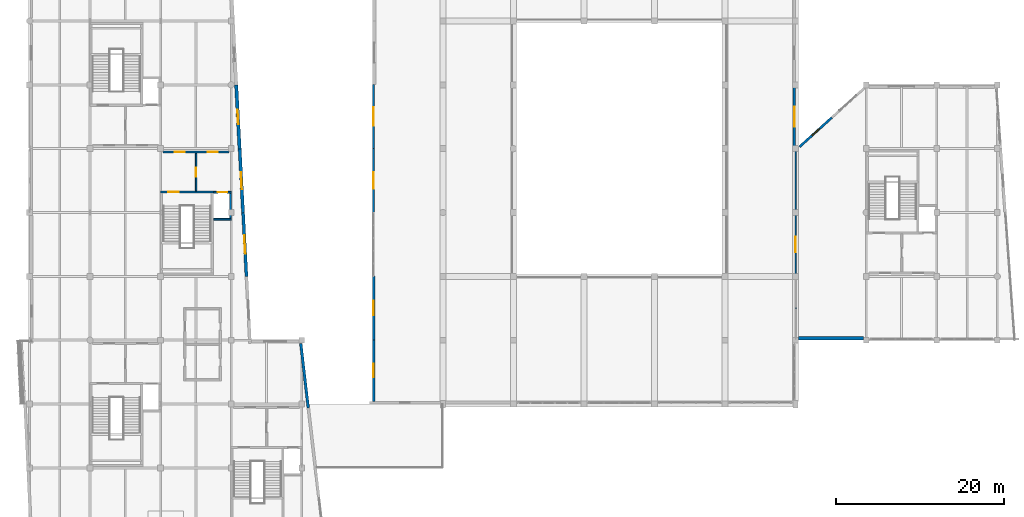
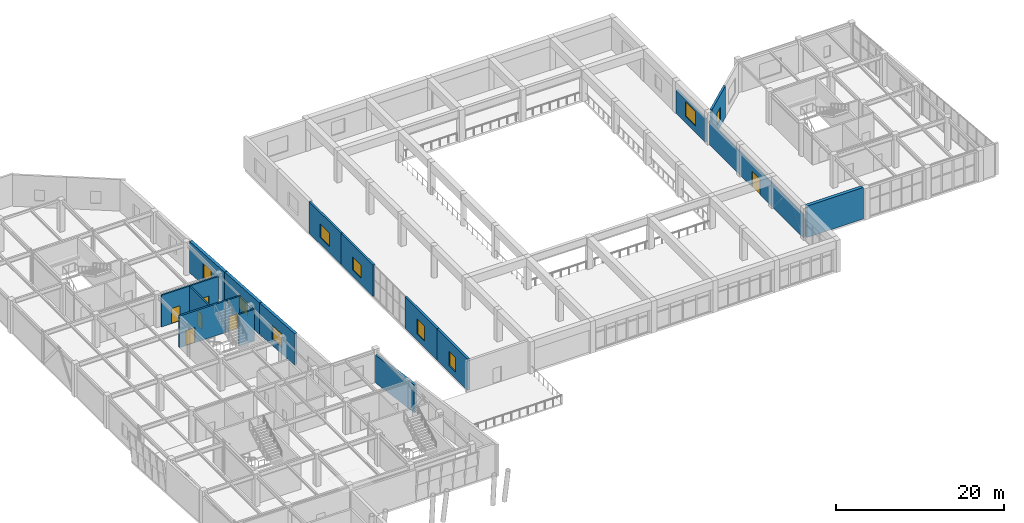
# One storey, part 63 of 72: 18 walls, 9 windows, 6 doors, 15 openings.
"""IFC4 building model written with IfcOpenShell, lengths in metres."""

from ifc_helpers import new_model, si_unit, direction, frame, frame_2d, origin, place, context, subcontext, project, spatial, rectangle, extrude, material, layer, layer_set, type_object, element, fill, save


model = new_model("IFC4")

# Units and contexts
model_context = context("Model", 3, precision=1e-05, world=origin(), true_north=direction((0.0, 1.0)))
body_context = subcontext(model_context, "Body", "Model", "MODEL_VIEW")
ifc_project = project(units=[si_unit("LENGTHUNIT", "METRE"), si_unit("AREAUNIT", "SQUARE_METRE"), si_unit("VOLUMEUNIT", "CUBIC_METRE"), si_unit("PLANEANGLEUNIT", "RADIAN"), si_unit("MASSUNIT", "GRAM", prefix="KILO")], contexts=[model_context])

# Site, building, storey
site_placement = place(None, origin())
site = spatial("IfcSite", under=ifc_project, at=site_placement, CompositionType="ELEMENT")
building_placement = place(site_placement, origin())
building = spatial("IfcBuilding", under=site, at=building_placement, Name="Xicomal Pleat Aquarium", CompositionType="ELEMENT")
storey_placement = place(building_placement, frame((0.0, 0.0, 10.5)))
storey = spatial("IfcBuildingStorey", under=building, at=storey_placement, Name="L03", CompositionType="ELEMENT", Elevation=10.5)

# Wall
ifc_material_1 = material(Name="Concrete C40/50", Category="concrete")
ifc_layer_1 = layer(ifc_material_1, 0.219970703125)
ifc_layer_set_1 = layer_set([ifc_layer_1], Name="Concrete C40/50")
wall_type_1 = type_object("IfcWallType", Name="WAL-COR-220", PredefinedType="SHEAR", material=ifc_layer_set_1)
wall_1_placement = place(storey_placement, frame((24.89990234375, 52.389892578125, 0.0), z_axis=(0.0, 0.0, 1.0), x_axis=(1.0, 0.0, 0.0)))
element("IfcWall", 1, at=wall_1_placement, inside=storey, type_object=wall_type_1, Name="L03 LF-04 lift shaft wall CW-L03-C4-LS", PredefinedType="SHEAR", context=body_context, shape_type="SweptSolid", body=[
    extrude(rectangle(XDim=2.1201171875, YDim=0.219970703125, at=frame_2d((1.06005859375, 0.0))), origin(), (0.0, 0.0, 1.0), 4.590087890625),
])

# Wall, opening, door
wall_2_placement = place(storey_placement, frame((24.89990234375, 55.610107421875, 0.0), z_axis=(0.0, 0.0, 1.0), x_axis=(1.0, 0.0, 0.0)))
wall_2 = element("IfcWall", 2, at=wall_2_placement, inside=storey, type_object=wall_type_1, Name="L03 LF-04 lift shaft wall CW-L03-C4-LN", PredefinedType="SHEAR", context=body_context, shape_type="SweptSolid", body=[
    extrude(rectangle(XDim=2.1201171875, YDim=0.219970703125, at=frame_2d((1.06005859375, 0.0))), origin(), (0.0, 0.0, 1.0), 4.590087890625),
])
opening_1_placement = place(wall_2_placement, frame((0.510009765625, 0.0, 0.0)))
opening_1 = element("IfcOpeningElement", 3, at=opening_1_placement, cuts=wall_2, Name="Opening LD-04-L03", PredefinedType="OPENING", context=body_context, shape_type="SweptSolid", body=[
    extrude(rectangle(XDim=1.10009765625, YDim=2.14990234375, at=frame_2d((0.550048828125, 1.074951171875))), frame((0.0, 0.119873046875, 0.0), z_axis=(0.0, -1.0, 0.0), x_axis=(1.0, 0.0, 0.0)), (0.0, 0.0, 1.0), 0.239990234375),
])
ifc_material_2 = material(Name="Brushed stainless steel 304", Category="steel")
door_type_1 = type_object("IfcDoorType", Name="DOR-LD-1100x2150", OperationType="DOUBLE_DOOR_SLIDING", PredefinedType="DOOR", material=ifc_material_2)
door_1_placement = place(opening_1_placement, origin())
door_1 = element("IfcDoor", 4, at=door_1_placement, inside=storey, type_object=door_type_1, Name="L03 LF-04 sliding lift landing door", OperationType="DOUBLE_DOOR_SLIDING", OverallHeight=2.14990234375, OverallWidth=1.10009765625, PredefinedType="DOOR", context=body_context, shape_type="SweptSolid", body=[
    extrude(rectangle(XDim=1.10009765625, YDim=2.14990234375, at=frame_2d((0.550048828125, 1.074951171875))), frame((0.0, 0.02490234375, 0.0), z_axis=(0.0, -1.0, 0.0), x_axis=(1.0, 0.0, 0.0)), (0.0, 0.0, 1.0), 0.050048828125),
])
fill(opening_1, door_1)

# Wall
wall_3_placement = place(storey_placement, frame((26.909912109375, 52.5, 0.0), z_axis=(0.0, 0.0, 1.0), x_axis=(0.0, 1.0, 0.0)))
element("IfcWall", 5, at=wall_3_placement, inside=storey, type_object=wall_type_1, Name="L03 LF-04 lift shaft wall CW-L03-C4-LE", PredefinedType="SHEAR", context=body_context, shape_type="SweptSolid", body=[
    extrude(rectangle(XDim=3.0, YDim=0.219970703125, at=frame_2d((1.5, 0.0))), origin(), (0.0, 0.0, 1.0), 4.590087890625),
])

# Wall, opening, door
ifc_material_3 = material(Name="Concrete C40/50", Category="concrete")
ifc_layer_2 = layer(ifc_material_3, 0.25)
ifc_layer_set_2 = layer_set([ifc_layer_2], Name="Concrete C40/50")
wall_type_2 = type_object("IfcWallType", Name="WAL-COR-250", PredefinedType="SHEAR", material=ifc_layer_set_2)
wall_4_placement = place(storey_placement, frame((18.590087890625, 55.625, 0.0), z_axis=(0.0, 0.0, 1.0), x_axis=(1.0, 0.0, 0.0)))
wall_4 = element("IfcWall", 6, at=wall_4_placement, inside=storey, type_object=wall_type_2, Name="L03 CORE-4 stair shear wall CW-L03-C4-SN", PredefinedType="SHEAR", context=body_context, shape_type="SweptSolid", body=[
    extrude(rectangle(XDim=6.280029296875, YDim=0.25, at=frame_2d((3.14013671875, 0.0))), origin(), (0.0, 0.0, 1.0), 4.590087890625),
])
opening_2_placement = place(wall_4_placement, frame((0.89990234375, 0.0, 0.0)))
opening_2 = element("IfcOpeningElement", 7, at=opening_2_placement, cuts=wall_4, Name="Opening SD-04-L03", PredefinedType="OPENING", context=body_context, shape_type="SweptSolid", body=[
    extrude(rectangle(XDim=1.25, YDim=2.199951171875, at=frame_2d((0.625, 1.10009765625))), frame((0.0, 0.135009765625, 0.0), z_axis=(0.0, -1.0, 0.0), x_axis=(1.0, 0.0, 0.0)), (0.0, 0.0, 1.0), 0.27001953125),
])
ifc_material_4 = material(Name="Powder-coated steel fire door", Category="steel")
door_type_2 = type_object("IfcDoorType", Name="DOR-ST-1250x2200", OperationType="NOTDEFINED", PredefinedType="DOOR", material=ifc_material_4)
door_2_placement = place(opening_2_placement, origin())
door_2 = element("IfcDoor", 8, at=door_2_placement, inside=storey, type_object=door_type_2, Name="L03 ST-04 protected stair door", OperationType="SINGLE_SWING_LEFT", OverallHeight=2.199951171875, OverallWidth=1.25, PredefinedType="DOOR", context=body_context, shape_type="SweptSolid", body=[
    extrude(rectangle(XDim=1.25, YDim=2.199951171875, at=frame_2d((0.625, 1.10009765625))), frame((0.0, 0.02490234375, 0.0), z_axis=(0.0, -1.0, 0.0), x_axis=(1.0, 0.0, 0.0)), (0.0, 0.0, 1.0), 0.050048828125),
])
fill(opening_2, door_2)

# Wall, opening, window
ifc_material_5 = material(Name="Volcanic basalt recinto masonry and concrete C40/50", Category="masonry")
ifc_layer_3 = layer(ifc_material_5, 0.364990234375)
ifc_layer_set_3 = layer_set([ifc_layer_3], Name="Volcanic basalt recinto masonry and concrete C40/50")
wall_type_3 = type_object("IfcWallType", Name="WAL-EXT-BAS-365", PredefinedType="SOLIDWALL", material=ifc_layer_set_3)
wall_5_placement = place(storey_placement, frame((28.4189453125, 53.169921875, 0.0), z_axis=(0.0, 0.0, 1.0), x_axis=(0.052579038163, -0.998616765704, 0.0)))
wall_5 = element("IfcWall", 9, at=wall_5_placement, inside=storey, type_object=wall_type_3, Name="L03 exterior basalt-precast wall EW-L03-079", PredefinedType="SOLIDWALL", context=body_context, shape_type="SweptSolid", body=[
    extrude(rectangle(XDim=7.6103515625, YDim=0.364990234375, at=frame_2d((3.80517578125, 0.0))), origin(), (0.0, 0.0, 1.0), 4.56005859375),
])
opening_3_placement = place(wall_5_placement, frame((2.705078125, 0.0, 0.949951171875)))
opening_3 = element("IfcOpeningElement", 10, at=opening_3_placement, cuts=wall_5, Name="Opening WN-21", PredefinedType="OPENING", context=body_context, shape_type="SweptSolid", body=[
    extrude(rectangle(XDim=2.199951171875, YDim=1.949951171875, at=frame_2d((1.10009765625, 0.97509765625))), frame((0.0, 0.1923828125, 0.0), z_axis=(0.0, -1.0, 0.0), x_axis=(1.0, 0.0, 0.0)), (0.0, 0.0, 1.0), 0.385009765625),
])
ifc_material_6 = material(Name="Insulated low-E laminated glass", Category="glass")
window_type_1 = type_object("IfcWindowType", Name="WIN-EXT-2200x1950", PartitioningType="DOUBLE_PANEL_VERTICAL", PredefinedType="WINDOW", material=ifc_material_6)
window_1_placement = place(opening_3_placement, origin())
window_1 = element("IfcWindow", 11, at=window_1_placement, inside=storey, type_object=window_type_1, Name="L03 thermally broken low-E window 45", OverallHeight=1.949951171875, OverallWidth=2.199951171875, PartitioningType="SINGLE_PANEL", PredefinedType="WINDOW", context=body_context, shape_type="SweptSolid", body=[
    extrude(rectangle(XDim=2.199951171875, YDim=1.949951171875, at=frame_2d((1.10009765625, 0.97509765625))), frame((0.0, 0.030029296875, 0.0), z_axis=(0.0, -1.0, 0.0), x_axis=(1.0, 0.0, 0.0)), (0.0, 0.0, 1.0), 0.06005859375),
])
fill(opening_3, window_1)

ifc_material_7 = material(Name="Volcanic basalt recinto masonry and concrete C40/50", Category="masonry")
ifc_layer_4 = layer(ifc_material_7, 0.3798828125)
ifc_layer_set_4 = layer_set([ifc_layer_4], Name="Volcanic basalt recinto masonry and concrete C40/50")
wall_type_4 = type_object("IfcWallType", Name="WAL-EXT-BAS-380", PredefinedType="SOLIDWALL", material=ifc_layer_set_4)
wall_6_placement = place(storey_placement, frame((28.010986328125, 60.77099609375, 0.0), z_axis=(0.0, 0.0, 1.0), x_axis=(0.052538631262, -0.998618892383, 0.0)))
wall_6 = element("IfcWall", 12, at=wall_6_placement, inside=storey, type_object=wall_type_4, Name="L03 exterior basalt-precast wall EW-L03-078", PredefinedType="SOLIDWALL", context=body_context, shape_type="SweptSolid", body=[
    extrude(rectangle(XDim=7.611572265625, YDim=0.3798828125, at=frame_2d((3.8056640625, 0.0))), origin(), (0.0, 0.0, 1.0), 4.56005859375),
])
opening_4_placement = place(wall_6_placement, frame((2.805908203125, 0.0, 0.949951171875)))
opening_4 = element("IfcOpeningElement", 13, at=opening_4_placement, cuts=wall_6, Name="Opening WN-20", PredefinedType="OPENING", context=body_context, shape_type="SweptSolid", body=[
    extrude(rectangle(XDim=2.0, YDim=1.85009765625, at=frame_2d((1.0, 0.925048828125))), frame((0.0, 0.199951171875, 0.0), z_axis=(0.0, -1.0, 0.0), x_axis=(1.0, 0.0, 0.0)), (0.0, 0.0, 1.0), 0.39990234375),
])
ifc_material_8 = material(Name="Insulated low-E laminated glass", Category="glass")
window_type_2 = type_object("IfcWindowType", Name="WIN-EXT-2000x1850", PartitioningType="DOUBLE_PANEL_VERTICAL", PredefinedType="WINDOW", material=ifc_material_8)
window_2_placement = place(opening_4_placement, origin())
window_2 = element("IfcWindow", 14, at=window_2_placement, inside=storey, type_object=window_type_2, Name="L03 thermally broken low-E window 44", OverallHeight=1.85009765625, OverallWidth=2.0, PartitioningType="SINGLE_PANEL", PredefinedType="WINDOW", context=body_context, shape_type="SweptSolid", body=[
    extrude(rectangle(XDim=2.0, YDim=1.85009765625, at=frame_2d((1.0, 0.925048828125))), frame((0.0, 0.030029296875, 0.0), z_axis=(0.0, -1.0, 0.0), x_axis=(1.0, 0.0, 0.0)), (0.0, 0.0, 1.0), 0.06005859375),
])
fill(opening_4, window_2)

ifc_material_9 = material(Name="Volcanic basalt recinto masonry and concrete C40/50", Category="masonry")
ifc_layer_5 = layer(ifc_material_9, 0.39990234375)
ifc_layer_set_5 = layer_set([ifc_layer_5], Name="Volcanic basalt recinto masonry and concrete C40/50")
wall_type_5 = type_object("IfcWallType", Name="WAL-EXT-BAS-400", PredefinedType="SOLIDWALL", material=ifc_layer_set_5)
wall_7_placement = place(storey_placement, frame((27.60107421875, 68.3701171875, 0.0), z_axis=(0.0, 0.0, 1.0), x_axis=(0.052545363492, -0.998618538169, 0.0)))
wall_7 = element("IfcWall", 15, at=wall_7_placement, inside=storey, type_object=wall_type_5, Name="L03 exterior basalt-precast wall EW-L03-077", PredefinedType="SOLIDWALL", context=body_context, shape_type="SweptSolid", body=[
    extrude(rectangle(XDim=7.610595703125, YDim=0.39990234375, at=frame_2d((3.80517578125, 0.0))), origin(), (0.0, 0.0, 1.0), 4.56005859375),
])
opening_5_placement = place(wall_7_placement, frame((2.929931640625, 0.0, 0.949951171875)))
opening_5 = element("IfcOpeningElement", 16, at=opening_5_placement, cuts=wall_7, Name="Opening WN-19", PredefinedType="OPENING", context=body_context, shape_type="SweptSolid", body=[
    extrude(rectangle(XDim=1.75, YDim=2.14990234375, at=frame_2d((0.875, 1.074951171875))), frame((0.0, 0.2099609375, 0.0), z_axis=(0.0, -1.0, 0.0), x_axis=(1.0, 0.0, 0.0)), (0.0, 0.0, 1.0), 0.419921875),
])
ifc_material_10 = material(Name="Insulated low-E laminated glass", Category="glass")
window_type_3 = type_object("IfcWindowType", Name="WIN-EXT-1750x2150", PartitioningType="SINGLE_PANEL", PredefinedType="WINDOW", material=ifc_material_10)
window_3_placement = place(opening_5_placement, origin())
window_3 = element("IfcWindow", 17, at=window_3_placement, inside=storey, type_object=window_type_3, Name="L03 thermally broken low-E window 43", OverallHeight=2.14990234375, OverallWidth=1.75, PartitioningType="SINGLE_PANEL", PredefinedType="WINDOW", context=body_context, shape_type="SweptSolid", body=[
    extrude(rectangle(XDim=1.75, YDim=2.14990234375, at=frame_2d((0.875, 1.074951171875))), frame((0.0, 0.030029296875, 0.0), z_axis=(0.0, -1.0, 0.0), x_axis=(1.0, 0.0, 0.0)), (0.0, 0.0, 1.0), 0.06005859375),
])
fill(opening_5, window_3)

# Wall
ifc_material_11 = material(Name="Volcanic basalt recinto masonry and concrete C40/50", Category="masonry")
ifc_layer_6 = layer(ifc_material_11, 0.445068359375)
ifc_layer_set_6 = layer_set([ifc_layer_6], Name="Volcanic basalt recinto masonry and concrete C40/50")
wall_type_6 = type_object("IfcWallType", Name="WAL-EXT-BAS-445", PredefinedType="SOLIDWALL", material=ifc_layer_set_6)
wall_8_placement = place(storey_placement, frame((102.264892578125, 38.221923828125, 0.0), z_axis=(0.0, 0.0, 1.0), x_axis=(-1.0, 0.0, 0.0)))
element("IfcWall", 18, at=wall_8_placement, inside=storey, type_object=wall_type_6, Name="L03 exterior basalt-precast wall EW-L03-036", PredefinedType="SOLIDWALL", context=body_context, shape_type="SweptSolid", body=[
    extrude(rectangle(XDim=7.72998046875, YDim=0.445068359375, at=frame_2d((3.864990234375, 0.0))), origin(), (0.0, 0.0, 1.0), 4.56005859375),
])

# Wall, opening, window
ifc_material_12 = material(Name="Precast concrete C40/50", Category="concrete")
ifc_layer_7 = layer(ifc_material_12, 0.260009765625)
ifc_layer_set_7 = layer_set([ifc_layer_7], Name="Precast concrete C40/50")
wall_type_7 = type_object("IfcWallType", Name="WAL-EXT-PRC-260", PredefinedType="SOLIDWALL", material=ifc_layer_set_7)
wall_9_placement = place(storey_placement, frame((43.929931640625, 60.820068359375, 0.0), z_axis=(0.0, 0.0, 1.0), x_axis=(0.0, 1.0, 0.0)))
wall_9 = element("IfcWall", 19, at=wall_9_placement, inside=storey, type_object=wall_type_7, Name="L03 exterior basalt-precast wall EW-L03-048", PredefinedType="SOLIDWALL", context=body_context, shape_type="SweptSolid", body=[
    extrude(rectangle(XDim=7.599853515625, YDim=0.260009765625, at=frame_2d((3.7998046875, 0.0))), origin(), (0.0, 0.0, 1.0), 4.56005859375),
])
opening_6_placement = place(wall_9_placement, frame((2.699951171875, 0.0, 0.949951171875)))
opening_6 = element("IfcOpeningElement", 20, at=opening_6_placement, cuts=wall_9, Name="Opening WN-21", PredefinedType="OPENING", context=body_context, shape_type="SweptSolid", body=[
    extrude(rectangle(XDim=2.199951171875, YDim=1.949951171875, at=frame_2d((1.10009765625, 0.97509765625))), frame((0.0, 0.139892578125, 0.0), z_axis=(0.0, -1.0, 0.0), x_axis=(1.0, 0.0, 0.0)), (0.0, 0.0, 1.0), 0.280029296875),
])
window_4_placement = place(opening_6_placement, origin())
window_4 = element("IfcWindow", 21, at=window_4_placement, inside=storey, type_object=window_type_1, Name="L03 thermally broken low-E window 21", OverallHeight=1.949951171875, OverallWidth=2.199951171875, PartitioningType="SINGLE_PANEL", PredefinedType="WINDOW", context=body_context, shape_type="SweptSolid", body=[
    extrude(rectangle(XDim=2.199951171875, YDim=1.949951171875, at=frame_2d((1.10009765625, 0.97509765625))), frame((0.0, 0.030029296875, 0.0), z_axis=(0.0, -1.0, 0.0), x_axis=(1.0, 0.0, 0.0)), (0.0, 0.0, 1.0), 0.06005859375),
])
fill(opening_6, window_4)

ifc_material_13 = material(Name="Precast concrete C40/50", Category="concrete")
ifc_layer_8 = layer(ifc_material_13, 0.280029296875)
ifc_layer_set_8 = layer_set([ifc_layer_8], Name="Precast concrete C40/50")
wall_type_8 = type_object("IfcWallType", Name="WAL-EXT-PRC-280", PredefinedType="SOLIDWALL", material=ifc_layer_set_8)
wall_10_placement = place(storey_placement, frame((43.93994140625, 53.179931640625, 0.0), z_axis=(0.0, 0.0, 1.0), x_axis=(0.0, 1.0, 0.0)))
wall_10 = element("IfcWall", 22, at=wall_10_placement, inside=storey, type_object=wall_type_8, Name="L03 exterior basalt-precast wall EW-L03-047", PredefinedType="SOLIDWALL", context=body_context, shape_type="SweptSolid", body=[
    extrude(rectangle(XDim=7.64013671875, YDim=0.280029296875, at=frame_2d((3.820068359375, 0.0))), origin(), (0.0, 0.0, 1.0), 4.56005859375),
])
opening_7_placement = place(wall_10_placement, frame((2.820068359375, 0.0, 0.949951171875)))
opening_7 = element("IfcOpeningElement", 23, at=opening_7_placement, cuts=wall_10, Name="Opening WN-20", PredefinedType="OPENING", context=body_context, shape_type="SweptSolid", body=[
    extrude(rectangle(XDim=2.0, YDim=1.85009765625, at=frame_2d((1.0, 0.925048828125))), frame((0.0, 0.14990234375, 0.0), z_axis=(0.0, -1.0, 0.0), x_axis=(1.0, 0.0, 0.0)), (0.0, 0.0, 1.0), 0.300048828125),
])
window_5_placement = place(opening_7_placement, origin())
window_5 = element("IfcWindow", 24, at=window_5_placement, inside=storey, type_object=window_type_2, Name="L03 thermally broken low-E window 20", OverallHeight=1.85009765625, OverallWidth=2.0, PartitioningType="SINGLE_PANEL", PredefinedType="WINDOW", context=body_context, shape_type="SweptSolid", body=[
    extrude(rectangle(XDim=2.0, YDim=1.85009765625, at=frame_2d((1.0, 0.925048828125))), frame((0.0, 0.030029296875, 0.0), z_axis=(0.0, -1.0, 0.0), x_axis=(1.0, 0.0, 0.0)), (0.0, 0.0, 1.0), 0.06005859375),
])
fill(opening_7, window_5)

wall_11_placement = place(storey_placement, frame((94.64892578125, 61.01806640625, 0.0), z_axis=(0.0, 0.0, 1.0), x_axis=(0.74158689096, 0.670856827614, 0.0)))
wall_11 = element("IfcWall", 25, at=wall_11_placement, inside=storey, type_object=wall_type_8, Name="L03 exterior basalt-precast wall EW-L03-060", PredefinedType="SOLIDWALL", context=body_context, shape_type="SweptSolid", body=[
    extrude(rectangle(XDim=5.205078125, YDim=0.280029296875, at=frame_2d((2.6025390625, 0.0))), origin(), (0.0, 0.0, 1.0), 4.56005859375),
])
opening_8_placement = place(wall_11_placement, frame((2.0029296875, 0.0, 0.949951171875)))
opening_8 = element("IfcOpeningElement", 26, at=opening_8_placement, cuts=wall_11, Name="Opening WN-01", PredefinedType="OPENING", context=body_context, shape_type="SweptSolid", body=[
    extrude(rectangle(XDim=1.199951171875, YDim=1.800048828125, at=frame_2d((0.60009765625, 0.89990234375))), frame((0.0, 0.14990234375, 0.0), z_axis=(0.0, -1.0, 0.0), x_axis=(1.0, 0.0, 0.0)), (0.0, 0.0, 1.0), 0.300048828125),
])
ifc_material_14 = material(Name="Insulated low-E laminated glass", Category="glass")
window_type_4 = type_object("IfcWindowType", Name="WIN-EXT-1200x1800", PartitioningType="SINGLE_PANEL", PredefinedType="WINDOW", material=ifc_material_14)
window_6_placement = place(opening_8_placement, origin())
window_6 = element("IfcWindow", 27, at=window_6_placement, inside=storey, type_object=window_type_4, Name="L03 thermally broken low-E window 29", OverallHeight=1.800048828125, OverallWidth=1.199951171875, PartitioningType="SINGLE_PANEL", PredefinedType="WINDOW", context=body_context, shape_type="SweptSolid", body=[
    extrude(rectangle(XDim=1.199951171875, YDim=1.800048828125, at=frame_2d((0.60009765625, 0.89990234375))), frame((0.0, 0.030029296875, 0.0), z_axis=(0.0, -1.0, 0.0), x_axis=(1.0, 0.0, 0.0)), (0.0, 0.0, 1.0), 0.06005859375),
])
fill(opening_8, window_6)

ifc_material_15 = material(Name="Precast concrete C40/50", Category="concrete")
ifc_layer_9 = layer(ifc_material_15, 0.2900390625)
ifc_layer_set_9 = layer_set([ifc_layer_9], Name="Precast concrete C40/50")
wall_type_9 = type_object("IfcWallType", Name="WAL-EXT-PRC-290", PredefinedType="SOLIDWALL", material=ifc_layer_set_9)
wall_12_placement = place(storey_placement, frame((94.054931640625, 68.06494140625, 0.0), z_axis=(0.0, 0.0, 1.0), x_axis=(0.0, -1.0, 0.0)))
wall_12 = element("IfcWall", 28, at=wall_12_placement, inside=storey, type_object=wall_type_9, Name="L03 exterior basalt-precast wall EW-L03-059", PredefinedType="SOLIDWALL", context=body_context, shape_type="SweptSolid", body=[
    extrude(rectangle(XDim=6.929931640625, YDim=0.2900390625, at=frame_2d((3.46484375, 0.0))), origin(), (0.0, 0.0, 1.0), 3.389892578125),
])
opening_9_placement = place(wall_12_placement, frame((2.264892578125, 0.0, 0.949951171875)))
opening_9 = element("IfcOpeningElement", 29, at=opening_9_placement, cuts=wall_12, Name="Opening WN-05", PredefinedType="OPENING", context=body_context, shape_type="SweptSolid", body=[
    extrude(rectangle(XDim=2.39990234375, YDim=2.10009765625, at=frame_2d((1.199951171875, 1.050048828125))), frame((0.0, 0.155029296875, 0.0), z_axis=(0.0, -1.0, 0.0), x_axis=(1.0, 0.0, 0.0)), (0.0, 0.0, 1.0), 0.31005859375),
])
ifc_material_16 = material(Name="Insulated low-E laminated glass", Category="glass")
window_type_5 = type_object("IfcWindowType", Name="WIN-EXT-2400x2100", PartitioningType="DOUBLE_PANEL_VERTICAL", PredefinedType="WINDOW", material=ifc_material_16)
window_7_placement = place(opening_9_placement, origin())
window_7 = element("IfcWindow", 30, at=window_7_placement, inside=storey, type_object=window_type_5, Name="L03 thermally broken low-E window 28", OverallHeight=2.10009765625, OverallWidth=2.39990234375, PartitioningType="SINGLE_PANEL", PredefinedType="WINDOW", context=body_context, shape_type="SweptSolid", body=[
    extrude(rectangle(XDim=2.39990234375, YDim=2.10009765625, at=frame_2d((1.199951171875, 1.050048828125))), frame((0.0, 0.030029296875, 0.0), z_axis=(0.0, -1.0, 0.0), x_axis=(1.0, 0.0, 0.0)), (0.0, 0.0, 1.0), 0.06005859375),
])
fill(opening_9, window_7)

ifc_material_17 = material(Name="Precast concrete C40/50", Category="concrete")
ifc_layer_10 = layer(ifc_material_17, 0.300048828125)
ifc_layer_set_10 = layer_set([ifc_layer_10], Name="Precast concrete C40/50")
wall_type_10 = type_object("IfcWallType", Name="WAL-EXT-PRC-300", PredefinedType="SOLIDWALL", material=ifc_layer_set_10)
wall_13_placement = place(storey_placement, frame((43.949951171875, 38.02001953125, 0.0), z_axis=(0.0, 0.0, 1.0), x_axis=(0.0, 1.0, 0.0)))
wall_13 = element("IfcWall", 31, at=wall_13_placement, inside=storey, type_object=wall_type_10, Name="L03 exterior basalt-precast wall EW-L03-045", PredefinedType="SOLIDWALL", context=body_context, shape_type="SweptSolid", body=[
    extrude(rectangle(XDim=7.60009765625, YDim=0.300048828125, at=frame_2d((3.800048828125, 0.0))), origin(), (0.0, 0.0, 1.0), 4.56005859375),
])
opening_10_placement = place(wall_13_placement, frame((2.925048828125, 0.0, 0.949951171875)))
opening_10 = element("IfcOpeningElement", 32, at=opening_10_placement, cuts=wall_13, Name="Opening WN-19", PredefinedType="OPENING", context=body_context, shape_type="SweptSolid", body=[
    extrude(rectangle(XDim=1.75, YDim=2.14990234375, at=frame_2d((0.875, 1.074951171875))), frame((0.0, 0.159912109375, 0.0), z_axis=(0.0, -1.0, 0.0), x_axis=(1.0, 0.0, 0.0)), (0.0, 0.0, 1.0), 0.320068359375),
])
window_8_placement = place(opening_10_placement, origin())
window_8 = element("IfcWindow", 33, at=window_8_placement, inside=storey, type_object=window_type_3, Name="L03 thermally broken low-E window 19", OverallHeight=2.14990234375, OverallWidth=1.75, PartitioningType="SINGLE_PANEL", PredefinedType="WINDOW", context=body_context, shape_type="SweptSolid", body=[
    extrude(rectangle(XDim=1.75, YDim=2.14990234375, at=frame_2d((0.875, 1.074951171875))), frame((0.0, 0.030029296875, 0.0), z_axis=(0.0, -1.0, 0.0), x_axis=(1.0, 0.0, 0.0)), (0.0, 0.0, 1.0), 0.06005859375),
])
fill(opening_10, window_8)

ifc_material_18 = material(Name="Precast concrete C40/50", Category="concrete")
ifc_layer_11 = layer(ifc_material_18, 0.31201171875)
ifc_layer_set_11 = layer_set([ifc_layer_11], Name="Precast concrete C40/50")
wall_type_11 = type_object("IfcWallType", Name="WAL-EXT-PRC-312", PredefinedType="SOLIDWALL", material=ifc_layer_set_11)
wall_14_placement = place(storey_placement, frame((43.9560546875, 30.72998046875, 0.0), z_axis=(0.0, 0.0, 1.0), x_axis=(0.0, 1.0, 0.0)))
wall_14 = element("IfcWall", 34, at=wall_14_placement, inside=storey, type_object=wall_type_11, Name="L03 exterior basalt-precast wall EW-L03-044B", PredefinedType="SOLIDWALL", context=body_context, shape_type="SweptSolid", body=[
    extrude(rectangle(XDim=7.2900390625, YDim=0.31201171875, at=frame_2d((3.64501953125, 0.0))), origin(), (0.0, 0.0, 1.0), 4.56005859375),
])
opening_11_placement = place(wall_14_placement, frame((2.844970703125, 0.0, 0.949951171875)))
opening_11 = element("IfcOpeningElement", 35, at=opening_11_placement, cuts=wall_14, Name="Opening WN-18", PredefinedType="OPENING", context=body_context, shape_type="SweptSolid", body=[
    extrude(rectangle(XDim=1.60009765625, YDim=2.050048828125, at=frame_2d((0.800048828125, 1.02490234375))), frame((0.0, 0.166015625, 0.0), z_axis=(0.0, -1.0, 0.0), x_axis=(1.0, 0.0, 0.0)), (0.0, 0.0, 1.0), 0.33203125),
])
ifc_material_19 = material(Name="Insulated low-E laminated glass", Category="glass")
window_type_6 = type_object("IfcWindowType", Name="WIN-EXT-1600x2050", PartitioningType="SINGLE_PANEL", PredefinedType="WINDOW", material=ifc_material_19)
window_9_placement = place(opening_11_placement, origin())
window_9 = element("IfcWindow", 36, at=window_9_placement, inside=storey, type_object=window_type_6, Name="L03 thermally broken low-E window 18", OverallHeight=2.050048828125, OverallWidth=1.60009765625, PartitioningType="SINGLE_PANEL", PredefinedType="WINDOW", context=body_context, shape_type="SweptSolid", body=[
    extrude(rectangle(XDim=1.60009765625, YDim=2.050048828125, at=frame_2d((0.800048828125, 1.02490234375))), frame((0.0, 0.030029296875, 0.0), z_axis=(0.0, -1.0, 0.0), x_axis=(1.0, 0.0, 0.0)), (0.0, 0.0, 1.0), 0.06005859375),
])
fill(opening_11, window_9)

# Wall
ifc_material_20 = material(Name="Precast concrete C40/50", Category="concrete")
ifc_layer_12 = layer(ifc_material_20, 0.324951171875)
ifc_layer_set_12 = layer_set([ifc_layer_12], Name="Precast concrete C40/50")
wall_type_12 = type_object("IfcWallType", Name="WAL-EXT-PRC-325", PredefinedType="SOLIDWALL", material=ifc_layer_set_12)
wall_15_placement = place(storey_placement, frame((35.281982421875, 37.611083984375, 0.0), z_axis=(0.0, 0.0, 1.0), x_axis=(0.115574885505, -0.993298769676, 0.0)))
element("IfcWall", 37, at=wall_15_placement, inside=storey, type_object=wall_type_12, Name="L03 exterior basalt-precast wall EW-L03-082", PredefinedType="SOLIDWALL", context=body_context, shape_type="SweptSolid", body=[
    extrude(rectangle(XDim=7.71875, YDim=0.324951171875, at=frame_2d((3.859375, 0.0))), origin(), (0.0, 0.0, 1.0), 4.02587890625),
])

# Wall, opening, door
ifc_material_21 = material(Name="Water-resistant cement-board wet-lab partition", Category="gypsum")
ifc_layer_13 = layer(ifc_material_21, 0.157958984375)
ifc_layer_set_13 = layer_set([ifc_layer_13], Name="Water-resistant cement-board wet-lab partition")
wall_type_13 = type_object("IfcWallType", Name="WAL-PRT-158", PredefinedType="PARTITIONING", material=ifc_layer_set_13)
wall_16_placement = place(storey_placement, frame((94.199951171875, 60.60009765625, 0.0), z_axis=(0.0, 0.0, 1.0), x_axis=(0.0, -1.0, 0.0)))
wall_16 = element("IfcWall", 38, at=wall_16_placement, inside=storey, type_object=wall_type_13, Name="L03 interior partition PT-L03-058", PredefinedType="PARTITIONING", context=body_context, shape_type="SweptSolid", body=[
    extrude(rectangle(XDim=22.400146484375, YDim=0.157958984375, at=frame_2d((11.2001953125, 0.0))), origin(), (0.0, 0.0, 1.0), 3.389892578125),
])
opening_12_placement = place(wall_16_placement, frame((10.27490234375, 0.0, 0.0)))
opening_12 = element("IfcOpeningElement", 39, at=opening_12_placement, cuts=wall_16, Name="Opening DR-L03-032", PredefinedType="OPENING", context=body_context, shape_type="SweptSolid", body=[
    extrude(rectangle(XDim=1.85009765625, YDim=2.300048828125, at=frame_2d((0.925048828125, 1.14990234375))), frame((0.0, 0.0888671875, 0.0), z_axis=(0.0, -1.0, 0.0), x_axis=(1.0, 0.0, 0.0)), (0.0, 0.0, 1.0), 0.177978515625),
])
ifc_material_22 = material(Name="Solid-core hardwood and anodized aluminium frame", Category="wood")
door_type_3 = type_object("IfcDoorType", Name="DOR-UNR-1850x2300", OperationType="DOUBLE_DOOR_SINGLE_SWING", PredefinedType="DOOR", material=ifc_material_22)
door_3_placement = place(opening_12_placement, origin())
door_3 = element("IfcDoor", 40, at=door_3_placement, inside=storey, type_object=door_type_3, Name="L03 Ocean Tank Diver Husbandry Deck door DR-L03-032", OperationType="DOUBLE_DOOR_SINGLE_SWING", OverallHeight=2.300048828125, OverallWidth=1.85009765625, PredefinedType="DOOR", context=body_context, shape_type="SweptSolid", body=[
    extrude(rectangle(XDim=1.85009765625, YDim=2.300048828125, at=frame_2d((0.925048828125, 1.14990234375))), frame((0.0, 0.02490234375, 0.0), z_axis=(0.0, -1.0, 0.0), x_axis=(1.0, 0.0, 0.0)), (0.0, 0.0, 1.0), 0.050048828125),
])
fill(opening_12, door_3)

ifc_material_23 = material(Name="Acoustic double-stud drywall partition", Category="gypsum")
ifc_layer_14 = layer(ifc_material_23, 0.195068359375)
ifc_layer_set_14 = layer_set([ifc_layer_14], Name="Acoustic double-stud drywall partition")
wall_type_14 = type_object("IfcWallType", Name="WAL-PRT-195", PredefinedType="PARTITIONING", material=ifc_layer_set_14)
wall_17_placement = place(storey_placement, frame((22.824951171875, 55.75, 0.0), z_axis=(0.0, 0.0, 1.0), x_axis=(0.0, 1.0, 0.0)))
wall_17 = element("IfcWall", 41, at=wall_17_placement, inside=storey, type_object=wall_type_14, Name="L03 firefighting lobby smoke divider 4", PredefinedType="PARTITIONING", context=body_context, shape_type="SweptSolid", body=[
    extrude(rectangle(XDim=4.5, YDim=0.195068359375, at=frame_2d((2.25, 0.0))), origin(), (0.0, 0.0, 1.0), 4.590087890625),
])
opening_13_placement = place(wall_17_placement, frame((1.699951171875, 0.0, 0.0)))
opening_13 = element("IfcOpeningElement", 42, at=opening_13_placement, cuts=wall_17, Name="Opening FD-04C-L03", PredefinedType="OPENING", context=body_context, shape_type="SweptSolid", body=[
    extrude(rectangle(XDim=1.10009765625, YDim=2.14990234375, at=frame_2d((0.550048828125, 1.074951171875))), frame((0.0, 0.107421875, 0.0), z_axis=(0.0, -1.0, 0.0), x_axis=(1.0, 0.0, 0.0)), (0.0, 0.0, 1.0), 0.215087890625),
])
ifc_material_24 = material(Name="Powder-coated steel fire door", Category="steel")
door_type_4 = type_object("IfcDoorType", Name="DOR-LAB-1100x2150", OperationType="NOTDEFINED", PredefinedType="DOOR", material=ifc_material_24)
door_4_placement = place(opening_13_placement, origin())
door_4 = element("IfcDoor", 43, at=door_4_placement, inside=storey, type_object=door_type_4, Name="L03 lobby interconnecting fire door 4C", OperationType="SINGLE_SWING_RIGHT", OverallHeight=2.14990234375, OverallWidth=1.10009765625, PredefinedType="DOOR", context=body_context, shape_type="SweptSolid", body=[
    extrude(rectangle(XDim=1.10009765625, YDim=2.14990234375, at=frame_2d((0.550048828125, 1.074951171875))), frame((0.0, 0.02490234375, 0.0), z_axis=(0.0, -1.0, 0.0), x_axis=(1.0, 0.0, 0.0)), (0.0, 0.0, 1.0), 0.050048828125),
])
fill(opening_13, door_4)

# Wall, openings, doors
ifc_material_25 = material(Name="Fire-rated gypsum and mineral-wool partition", Category="gypsum")
ifc_layer_15 = layer(ifc_material_25, 0.2099609375)
ifc_layer_set_15 = layer_set([ifc_layer_15], Name="Fire-rated gypsum and mineral-wool partition")
wall_type_15 = type_object("IfcWallType", Name="WAL-PRT-210", PredefinedType="PARTITIONING", material=ifc_layer_set_15)
wall_18_placement = place(storey_placement, frame((18.89990234375, 60.39990234375, 0.0), z_axis=(0.0, 0.0, 1.0), x_axis=(1.0, 0.0, 0.0)))
wall_18 = element("IfcWall", 44, at=wall_18_placement, inside=storey, type_object=wall_type_15, Name="L03 CORE-4 lobby fire enclosure wall", PredefinedType="PARTITIONING", context=body_context, shape_type="SweptSolid", body=[
    extrude(rectangle(XDim=7.85009765625, YDim=0.2099609375, at=frame_2d((3.925048828125, 0.0))), origin(), (0.0, 0.0, 1.0), 4.590087890625),
])
opening_14_placement = place(wall_18_placement, frame((1.362060546875, 0.0, 0.0)))
opening_14 = element("IfcOpeningElement", 45, at=opening_14_placement, cuts=wall_18, Name="Opening FD-04A-L03", PredefinedType="OPENING", context=body_context, shape_type="SweptSolid", body=[
    extrude(rectangle(XDim=1.199951171875, YDim=2.199951171875, at=frame_2d((0.60009765625, 1.10009765625))), frame((0.0, 0.114990234375, 0.0), z_axis=(0.0, -1.0, 0.0), x_axis=(1.0, 0.0, 0.0)), (0.0, 0.0, 1.0), 0.22998046875),
])
opening_15_placement = place(wall_18_placement, frame((5.287109375, 0.0, 0.0)))
opening_15 = element("IfcOpeningElement", 46, at=opening_15_placement, cuts=wall_18, Name="Opening FD-04B-L03", PredefinedType="OPENING", context=body_context, shape_type="SweptSolid", body=[
    extrude(rectangle(XDim=1.199951171875, YDim=2.199951171875, at=frame_2d((0.60009765625, 1.10009765625))), frame((0.0, 0.114990234375, 0.0), z_axis=(0.0, -1.0, 0.0), x_axis=(1.0, 0.0, 0.0)), (0.0, 0.0, 1.0), 0.22998046875),
])
ifc_material_26 = material(Name="Powder-coated steel fire door", Category="steel")
door_type_5 = type_object("IfcDoorType", Name="DOR-FFL-1200x2200", OperationType="NOTDEFINED", PredefinedType="DOOR", material=ifc_material_26)
door_5_placement = place(opening_14_placement, origin())
door_5 = element("IfcDoor", 47, at=door_5_placement, inside=storey, type_object=door_type_5, Name="L03 firefighting lobby door 4A", OperationType="SINGLE_SWING_RIGHT", OverallHeight=2.199951171875, OverallWidth=1.199951171875, PredefinedType="DOOR", context=body_context, shape_type="SweptSolid", body=[
    extrude(rectangle(XDim=1.199951171875, YDim=2.199951171875, at=frame_2d((0.60009765625, 1.10009765625))), frame((0.0, 0.02490234375, 0.0), z_axis=(0.0, -1.0, 0.0), x_axis=(1.0, 0.0, 0.0)), (0.0, 0.0, 1.0), 0.050048828125),
])
fill(opening_14, door_5)
door_6_placement = place(opening_15_placement, origin())
door_6 = element("IfcDoor", 48, at=door_6_placement, inside=storey, type_object=door_type_5, Name="L03 lift lobby door 4B", OperationType="SINGLE_SWING_LEFT", OverallHeight=2.199951171875, OverallWidth=1.199951171875, PredefinedType="DOOR", context=body_context, shape_type="SweptSolid", body=[
    extrude(rectangle(XDim=1.199951171875, YDim=2.199951171875, at=frame_2d((0.60009765625, 1.10009765625))), frame((0.0, 0.02490234375, 0.0), z_axis=(0.0, -1.0, 0.0), x_axis=(1.0, 0.0, 0.0)), (0.0, 0.0, 1.0), 0.050048828125),
])
fill(opening_15, door_6)

save(model, "model.ifc")
